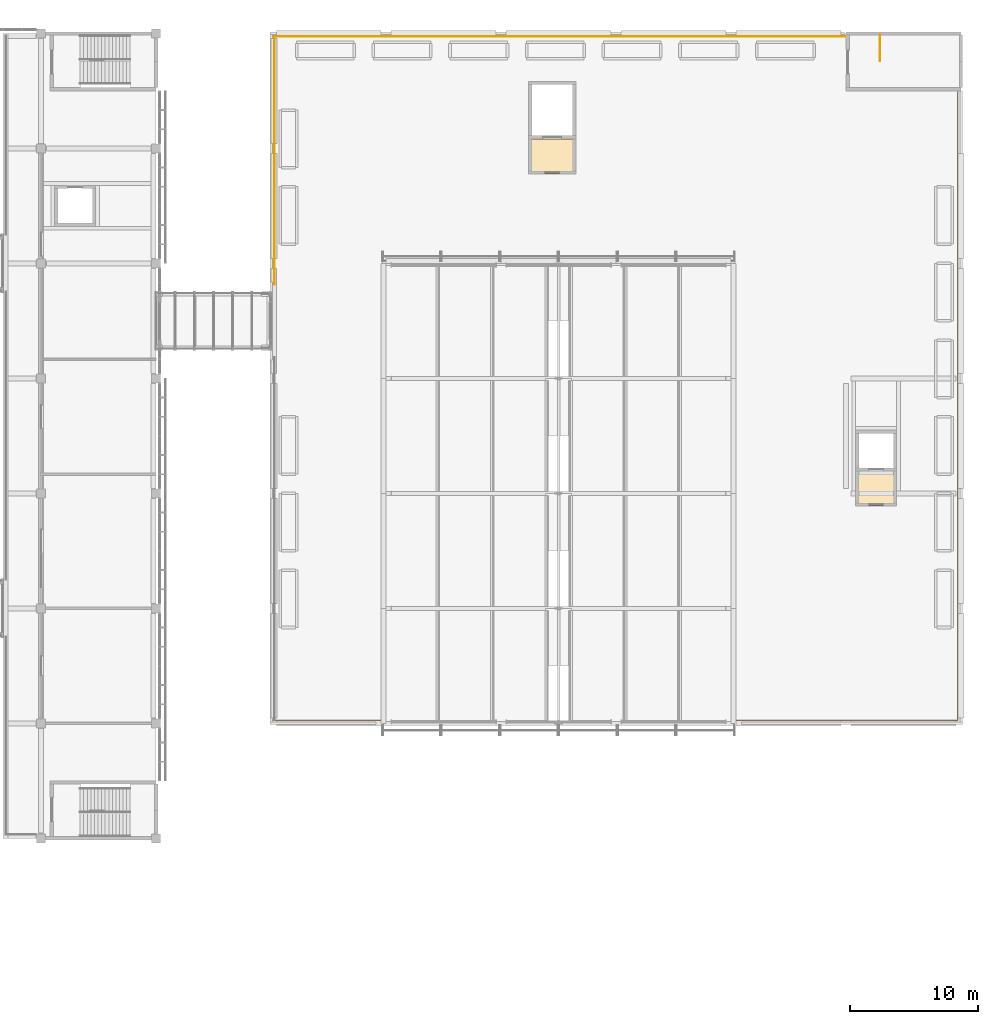
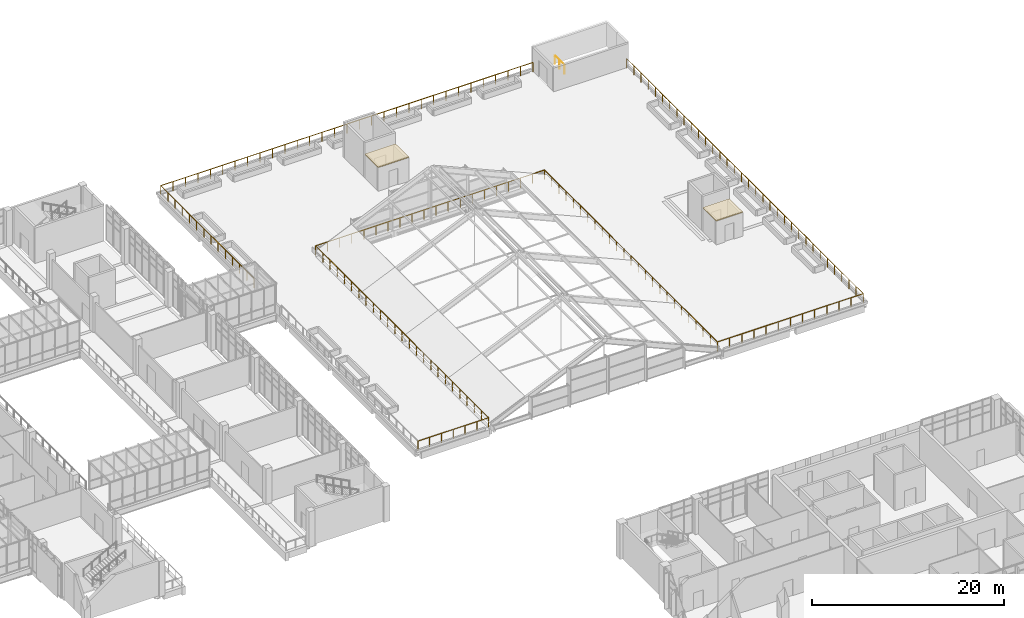
# One storey, part 104 of 106: 3 railings, 2 coverings.
"""IFC4 building model written with IfcOpenShell, lengths in metres."""

from ifc_helpers import new_model, si_unit, direction, frame, origin, origin_2d, place, context, subcontext, project, spatial, rectangle, circle, extrude, material, layer, layer_set, type_object, element, save


model = new_model("IFC4")

# Units and contexts
model_context = context("Model", 3, precision=1e-05, world=origin(), true_north=direction((0.0, 1.0)))
body_context = subcontext(model_context, "Body", "Model", "MODEL_VIEW")
ifc_project = project(units=[si_unit("LENGTHUNIT", "METRE"), si_unit("AREAUNIT", "SQUARE_METRE"), si_unit("VOLUMEUNIT", "CUBIC_METRE"), si_unit("PLANEANGLEUNIT", "RADIAN"), si_unit("MASSUNIT", "GRAM", prefix="KILO")], contexts=[model_context])

# Site, building, storey
site_placement = place(None, origin())
site = spatial("IfcSite", under=ifc_project, at=site_placement, CompositionType="ELEMENT")
building_placement = place(site_placement, origin())
building = spatial("IfcBuilding", under=site, at=building_placement, Name="Guidao Yard Department Store", CompositionType="ELEMENT")
storey_placement = place(building_placement, frame((0.0, 0.0, 10.5)))
storey = spatial("IfcBuildingStorey", under=building, at=storey_placement, Name="L02", CompositionType="ELEMENT", Elevation=10.5)

# Railings
ifc_material_1 = material(Name="Steel Q235", Category="steel")
railing_type_1 = type_object("IfcRailingType", Name="Guard steel balustrade 1100", PredefinedType="GUARDRAIL", material=ifc_material_1)
railing_1_placement = place(storey_placement, frame((164.64990234375, 105.824951171875, 0.0)))
element("IfcRailing", 1, at=railing_1_placement, inside=storey, type_object=railing_type_1, Name="Stair F2 guard L02 9", PredefinedType="GUARDRAIL", context=body_context, shape_type="SweptSolid", body=[
    extrude(circle(Radius=0.02392578125, at=origin_2d()), frame((0.0, 0.0, 1.076171875), z_axis=(0.0, 1.0, 0.0), x_axis=(-1.0, 0.0, 0.0)), (0.0, 0.0, 1.0), 2.050048828125),
    extrude(circle(Radius=0.02099609375, at=origin_2d()), origin(), (0.0, 0.0, 1.0), 1.052001953125),
    extrude(circle(Radius=0.02099609375, at=origin_2d()), frame((0.0, 1.02490234375, 0.0)), (0.0, 0.0, 1.0), 1.052001953125),
    extrude(circle(Radius=0.02099609375, at=origin_2d()), frame((0.0, 2.050048828125, 0.0)), (0.0, 0.0, 1.0), 1.052001953125),
])
ifc_material_2 = material(Name="Steel Q235", Category="steel")
railing_type_2 = type_object("IfcRailingType", Name="Guard steel balustrade 1200", PredefinedType="GUARDRAIL", material=ifc_material_2)
railing_2_placement = place(storey_placement, frame((117.25, 88.35009765625, 0.0)))
element("IfcRailing", 2, at=railing_2_placement, inside=storey, type_object=railing_type_2, Name="Guard garden ROOF-F 1 L02", PredefinedType="GUARDRAIL", context=body_context, shape_type="SweptSolid", body=[
    extrude(circle(Radius=0.02392578125, at=origin_2d()), frame((0.0, 0.0, 1.17578125), z_axis=(0.0, 1.0, 0.0), x_axis=(-1.0, 0.0, 0.0)), (0.0, 0.0, 1.0), 19.39990234375),
    extrude(circle(Radius=0.02392578125, at=origin_2d()), frame((0.0, 19.39990234375, 1.17578125), z_axis=(1.0, 0.0, 0.0), x_axis=(0.0, 1.0, 0.0)), (0.0, 0.0, 1.0), 44.699951171875),
    extrude(circle(Radius=0.02099609375, at=origin_2d()), origin(), (0.0, 0.0, 1.0), 1.15185546875),
    extrude(circle(Radius=0.02099609375, at=origin_2d()), frame((0.0, 1.4921875, 0.0)), (0.0, 0.0, 1.0), 1.15185546875),
    extrude(circle(Radius=0.02099609375, at=origin_2d()), frame((0.0, 2.984619140625, 0.0)), (0.0, 0.0, 1.0), 1.15185546875),
    extrude(circle(Radius=0.02099609375, at=origin_2d()), frame((0.0, 4.476806640625, 0.0)), (0.0, 0.0, 1.0), 1.15185546875),
    extrude(circle(Radius=0.02099609375, at=origin_2d()), frame((0.0, 5.96923828125, 0.0)), (0.0, 0.0, 1.0), 1.15185546875),
    extrude(circle(Radius=0.02099609375, at=origin_2d()), frame((0.0, 7.46142578125, 0.0)), (0.0, 0.0, 1.0), 1.15185546875),
    extrude(circle(Radius=0.02099609375, at=origin_2d()), frame((0.0, 8.953857421875, 0.0)), (0.0, 0.0, 1.0), 1.15185546875),
    extrude(circle(Radius=0.02099609375, at=origin_2d()), frame((0.0, 10.446044921875, 0.0)), (0.0, 0.0, 1.0), 1.15185546875),
    extrude(circle(Radius=0.02099609375, at=origin_2d()), frame((0.0, 11.9384765625, 0.0)), (0.0, 0.0, 1.0), 1.15185546875),
    extrude(circle(Radius=0.02099609375, at=origin_2d()), frame((0.0, 13.4306640625, 0.0)), (0.0, 0.0, 1.0), 1.15185546875),
    extrude(circle(Radius=0.02099609375, at=origin_2d()), frame((0.0, 14.923095703125, 0.0)), (0.0, 0.0, 1.0), 1.15185546875),
    extrude(circle(Radius=0.02099609375, at=origin_2d()), frame((0.0, 16.415283203125, 0.0)), (0.0, 0.0, 1.0), 1.15185546875),
    extrude(circle(Radius=0.02099609375, at=origin_2d()), frame((0.0, 17.90771484375, 0.0)), (0.0, 0.0, 1.0), 1.15185546875),
    extrude(circle(Radius=0.02099609375, at=origin_2d()), frame((0.0, 19.39990234375, 0.0)), (0.0, 0.0, 1.0), 1.15185546875),
    extrude(circle(Radius=0.02099609375, at=origin_2d()), frame((1.489990234375, 19.39990234375, 0.0)), (0.0, 0.0, 1.0), 1.15185546875),
    extrude(circle(Radius=0.02099609375, at=origin_2d()), frame((2.97998046875, 19.39990234375, 0.0)), (0.0, 0.0, 1.0), 1.15185546875),
    extrude(circle(Radius=0.02099609375, at=origin_2d()), frame((4.469970703125, 19.39990234375, 0.0)), (0.0, 0.0, 1.0), 1.15185546875),
    extrude(circle(Radius=0.02099609375, at=origin_2d()), frame((5.9599609375, 19.39990234375, 0.0)), (0.0, 0.0, 1.0), 1.15185546875),
    extrude(circle(Radius=0.02099609375, at=origin_2d()), frame((7.449951171875, 19.39990234375, 0.0)), (0.0, 0.0, 1.0), 1.15185546875),
    extrude(circle(Radius=0.02099609375, at=origin_2d()), frame((8.93994140625, 19.39990234375, 0.0)), (0.0, 0.0, 1.0), 1.15185546875),
    extrude(circle(Radius=0.02099609375, at=origin_2d()), frame((10.429931640625, 19.39990234375, 0.0)), (0.0, 0.0, 1.0), 1.15185546875),
    extrude(circle(Radius=0.02099609375, at=origin_2d()), frame((11.919921875, 19.39990234375, 0.0)), (0.0, 0.0, 1.0), 1.15185546875),
    extrude(circle(Radius=0.02099609375, at=origin_2d()), frame((13.409912109375, 19.39990234375, 0.0)), (0.0, 0.0, 1.0), 1.15185546875),
    extrude(circle(Radius=0.02099609375, at=origin_2d()), frame((14.89990234375, 19.39990234375, 0.0)), (0.0, 0.0, 1.0), 1.15185546875),
    extrude(circle(Radius=0.02099609375, at=origin_2d()), frame((16.389892578125, 19.39990234375, 0.0)), (0.0, 0.0, 1.0), 1.15185546875),
    extrude(circle(Radius=0.02099609375, at=origin_2d()), frame((17.8798828125, 19.39990234375, 0.0)), (0.0, 0.0, 1.0), 1.15185546875),
    extrude(circle(Radius=0.02099609375, at=origin_2d()), frame((19.369873046875, 19.39990234375, 0.0)), (0.0, 0.0, 1.0), 1.15185546875),
    extrude(circle(Radius=0.02099609375, at=origin_2d()), frame((20.85986328125, 19.39990234375, 0.0)), (0.0, 0.0, 1.0), 1.15185546875),
    extrude(circle(Radius=0.02099609375, at=origin_2d()), frame((22.35009765625, 19.39990234375, 0.0)), (0.0, 0.0, 1.0), 1.15185546875),
    extrude(circle(Radius=0.02099609375, at=origin_2d()), frame((23.840087890625, 19.39990234375, 0.0)), (0.0, 0.0, 1.0), 1.15185546875),
    extrude(circle(Radius=0.02099609375, at=origin_2d()), frame((25.330078125, 19.39990234375, 0.0)), (0.0, 0.0, 1.0), 1.15185546875),
    extrude(circle(Radius=0.02099609375, at=origin_2d()), frame((26.820068359375, 19.39990234375, 0.0)), (0.0, 0.0, 1.0), 1.15185546875),
    extrude(circle(Radius=0.02099609375, at=origin_2d()), frame((28.31005859375, 19.39990234375, 0.0)), (0.0, 0.0, 1.0), 1.15185546875),
    extrude(circle(Radius=0.02099609375, at=origin_2d()), frame((29.800048828125, 19.39990234375, 0.0)), (0.0, 0.0, 1.0), 1.15185546875),
    extrude(circle(Radius=0.02099609375, at=origin_2d()), frame((31.2900390625, 19.39990234375, 0.0)), (0.0, 0.0, 1.0), 1.15185546875),
    extrude(circle(Radius=0.02099609375, at=origin_2d()), frame((32.780029296875, 19.39990234375, 0.0)), (0.0, 0.0, 1.0), 1.15185546875),
    extrude(circle(Radius=0.02099609375, at=origin_2d()), frame((34.27001953125, 19.39990234375, 0.0)), (0.0, 0.0, 1.0), 1.15185546875),
    extrude(circle(Radius=0.02099609375, at=origin_2d()), frame((35.760009765625, 19.39990234375, 0.0)), (0.0, 0.0, 1.0), 1.15185546875),
    extrude(circle(Radius=0.02099609375, at=origin_2d()), frame((37.25, 19.39990234375, 0.0)), (0.0, 0.0, 1.0), 1.15185546875),
    extrude(circle(Radius=0.02099609375, at=origin_2d()), frame((38.739990234375, 19.39990234375, 0.0)), (0.0, 0.0, 1.0), 1.15185546875),
    extrude(circle(Radius=0.02099609375, at=origin_2d()), frame((40.22998046875, 19.39990234375, 0.0)), (0.0, 0.0, 1.0), 1.15185546875),
    extrude(circle(Radius=0.02099609375, at=origin_2d()), frame((41.719970703125, 19.39990234375, 0.0)), (0.0, 0.0, 1.0), 1.15185546875),
    extrude(circle(Radius=0.02099609375, at=origin_2d()), frame((43.2099609375, 19.39990234375, 0.0)), (0.0, 0.0, 1.0), 1.15185546875),
    extrude(circle(Radius=0.02099609375, at=origin_2d()), frame((44.699951171875, 19.39990234375, 0.0)), (0.0, 0.0, 1.0), 1.15185546875),
])
railing_3_placement = place(storey_placement, frame((170.75, 103.449951171875, 0.0)))
element("IfcRailing", 3, at=railing_3_placement, inside=storey, type_object=railing_type_2, Name="Guard garden ROOF-F 1 L02", PredefinedType="GUARDRAIL", context=body_context, shape_type="SweptSolid", body=[
    extrude(circle(Radius=0.02392578125, at=origin_2d()), frame((0.0, 0.0, 1.17578125), z_axis=(0.0, -1.0, 0.0), x_axis=(1.0, 0.0, 0.0)), (0.0, 0.0, 1.0), 49.199951171875),
    extrude(circle(Radius=0.02392578125, at=origin_2d()), frame((0.0, -49.199951171875, 1.17578125), z_axis=(-1.0, 0.0, 0.0), x_axis=(0.0, -1.0, 0.0)), (0.0, 0.0, 1.0), 17.5),
    extrude(circle(Radius=0.02392578125, at=origin_2d()), frame((-17.5, -49.199951171875, 1.17578125), z_axis=(0.0, 1.0, 0.0), x_axis=(-1.0, 0.0, 0.0)), (0.0, 0.0, 1.0), 36.0),
    extrude(circle(Radius=0.02392578125, at=origin_2d()), frame((-17.5, -13.199951171875, 1.17578125), z_axis=(-1.0, 0.0, 0.0), x_axis=(0.0, -1.0, 0.0)), (0.0, 0.0, 1.0), 27.5),
    extrude(circle(Radius=0.02392578125, at=origin_2d()), frame((-45.0, -13.199951171875, 1.17578125), z_axis=(0.0, -1.0, 0.0), x_axis=(1.0, 0.0, 0.0)), (0.0, 0.0, 1.0), 36.0),
    extrude(circle(Radius=0.02392578125, at=origin_2d()), frame((-45.0, -49.199951171875, 1.17578125), z_axis=(-1.0, 0.0, 0.0), x_axis=(0.0, -1.0, 0.0)), (0.0, 0.0, 1.0), 8.5),
    extrude(circle(Radius=0.02099609375, at=origin_2d()), origin(), (0.0, 0.0, 1.0), 1.15185546875),
    extrude(circle(Radius=0.02099609375, at=origin_2d()), frame((0.0, -1.490966796875, 0.0)), (0.0, 0.0, 1.0), 1.15185546875),
    extrude(circle(Radius=0.02099609375, at=origin_2d()), frame((0.0, -2.98193359375, 0.0)), (0.0, 0.0, 1.0), 1.15185546875),
    extrude(circle(Radius=0.02099609375, at=origin_2d()), frame((0.0, -4.47265625, 0.0)), (0.0, 0.0, 1.0), 1.15185546875),
    extrude(circle(Radius=0.02099609375, at=origin_2d()), frame((0.0, -5.963623046875, 0.0)), (0.0, 0.0, 1.0), 1.15185546875),
    extrude(circle(Radius=0.02099609375, at=origin_2d()), frame((0.0, -7.45458984375, 0.0)), (0.0, 0.0, 1.0), 1.15185546875),
    extrude(circle(Radius=0.02099609375, at=origin_2d()), frame((0.0, -8.945556640625, 0.0)), (0.0, 0.0, 1.0), 1.15185546875),
    extrude(circle(Radius=0.02099609375, at=origin_2d()), frame((0.0, -10.436279296875, 0.0)), (0.0, 0.0, 1.0), 1.15185546875),
    extrude(circle(Radius=0.02099609375, at=origin_2d()), frame((0.0, -11.92724609375, 0.0)), (0.0, 0.0, 1.0), 1.15185546875),
    extrude(circle(Radius=0.02099609375, at=origin_2d()), frame((0.0, -13.418212890625, 0.0)), (0.0, 0.0, 1.0), 1.15185546875),
    extrude(circle(Radius=0.02099609375, at=origin_2d()), frame((0.0, -14.9091796875, 0.0)), (0.0, 0.0, 1.0), 1.15185546875),
    extrude(circle(Radius=0.02099609375, at=origin_2d()), frame((0.0, -16.39990234375, 0.0)), (0.0, 0.0, 1.0), 1.15185546875),
    extrude(circle(Radius=0.02099609375, at=origin_2d()), frame((0.0, -17.890869140625, 0.0)), (0.0, 0.0, 1.0), 1.15185546875),
    extrude(circle(Radius=0.02099609375, at=origin_2d()), frame((0.0, -19.3818359375, 0.0)), (0.0, 0.0, 1.0), 1.15185546875),
    extrude(circle(Radius=0.02099609375, at=origin_2d()), frame((0.0, -20.872802734375, 0.0)), (0.0, 0.0, 1.0), 1.15185546875),
    extrude(circle(Radius=0.02099609375, at=origin_2d()), frame((0.0, -22.363525390625, 0.0)), (0.0, 0.0, 1.0), 1.15185546875),
    extrude(circle(Radius=0.02099609375, at=origin_2d()), frame((0.0, -23.8544921875, 0.0)), (0.0, 0.0, 1.0), 1.15185546875),
    extrude(circle(Radius=0.02099609375, at=origin_2d()), frame((0.0, -25.345458984375, 0.0)), (0.0, 0.0, 1.0), 1.15185546875),
    extrude(circle(Radius=0.02099609375, at=origin_2d()), frame((0.0, -26.83642578125, 0.0)), (0.0, 0.0, 1.0), 1.15185546875),
    extrude(circle(Radius=0.02099609375, at=origin_2d()), frame((0.0, -28.3271484375, 0.0)), (0.0, 0.0, 1.0), 1.15185546875),
    extrude(circle(Radius=0.02099609375, at=origin_2d()), frame((0.0, -29.818115234375, 0.0)), (0.0, 0.0, 1.0), 1.15185546875),
    extrude(circle(Radius=0.02099609375, at=origin_2d()), frame((0.0, -31.30908203125, 0.0)), (0.0, 0.0, 1.0), 1.15185546875),
    extrude(circle(Radius=0.02099609375, at=origin_2d()), frame((0.0, -32.800048828125, 0.0)), (0.0, 0.0, 1.0), 1.15185546875),
    extrude(circle(Radius=0.02099609375, at=origin_2d()), frame((0.0, -34.290771484375, 0.0)), (0.0, 0.0, 1.0), 1.15185546875),
    extrude(circle(Radius=0.02099609375, at=origin_2d()), frame((0.0, -35.78173828125, 0.0)), (0.0, 0.0, 1.0), 1.15185546875),
    extrude(circle(Radius=0.02099609375, at=origin_2d()), frame((0.0, -37.272705078125, 0.0)), (0.0, 0.0, 1.0), 1.15185546875),
    extrude(circle(Radius=0.02099609375, at=origin_2d()), frame((0.0, -38.763671875, 0.0)), (0.0, 0.0, 1.0), 1.15185546875),
    extrude(circle(Radius=0.02099609375, at=origin_2d()), frame((0.0, -40.25439453125, 0.0)), (0.0, 0.0, 1.0), 1.15185546875),
    extrude(circle(Radius=0.02099609375, at=origin_2d()), frame((0.0, -41.745361328125, 0.0)), (0.0, 0.0, 1.0), 1.15185546875),
    extrude(circle(Radius=0.02099609375, at=origin_2d()), frame((0.0, -43.236328125, 0.0)), (0.0, 0.0, 1.0), 1.15185546875),
    extrude(circle(Radius=0.02099609375, at=origin_2d()), frame((0.0, -44.727294921875, 0.0)), (0.0, 0.0, 1.0), 1.15185546875),
    extrude(circle(Radius=0.02099609375, at=origin_2d()), frame((0.0, -46.218017578125, 0.0)), (0.0, 0.0, 1.0), 1.15185546875),
    extrude(circle(Radius=0.02099609375, at=origin_2d()), frame((0.0, -47.708984375, 0.0)), (0.0, 0.0, 1.0), 1.15185546875),
    extrude(circle(Radius=0.02099609375, at=origin_2d()), frame((0.0, -49.199951171875, 0.0)), (0.0, 0.0, 1.0), 1.15185546875),
    extrude(circle(Radius=0.02099609375, at=origin_2d()), frame((-1.458251953125, -49.199951171875, 0.0)), (0.0, 0.0, 1.0), 1.15185546875),
    extrude(circle(Radius=0.02099609375, at=origin_2d()), frame((-2.916748046875, -49.199951171875, 0.0)), (0.0, 0.0, 1.0), 1.15185546875),
    extrude(circle(Radius=0.02099609375, at=origin_2d()), frame((-4.375, -49.199951171875, 0.0)), (0.0, 0.0, 1.0), 1.15185546875),
    extrude(circle(Radius=0.02099609375, at=origin_2d()), frame((-5.833251953125, -49.199951171875, 0.0)), (0.0, 0.0, 1.0), 1.15185546875),
    extrude(circle(Radius=0.02099609375, at=origin_2d()), frame((-7.291748046875, -49.199951171875, 0.0)), (0.0, 0.0, 1.0), 1.15185546875),
    extrude(circle(Radius=0.02099609375, at=origin_2d()), frame((-8.75, -49.199951171875, 0.0)), (0.0, 0.0, 1.0), 1.15185546875),
    extrude(circle(Radius=0.02099609375, at=origin_2d()), frame((-10.208251953125, -49.199951171875, 0.0)), (0.0, 0.0, 1.0), 1.15185546875),
    extrude(circle(Radius=0.02099609375, at=origin_2d()), frame((-11.666748046875, -49.199951171875, 0.0)), (0.0, 0.0, 1.0), 1.15185546875),
    extrude(circle(Radius=0.02099609375, at=origin_2d()), frame((-13.125, -49.199951171875, 0.0)), (0.0, 0.0, 1.0), 1.15185546875),
    extrude(circle(Radius=0.02099609375, at=origin_2d()), frame((-14.583251953125, -49.199951171875, 0.0)), (0.0, 0.0, 1.0), 1.15185546875),
    extrude(circle(Radius=0.02099609375, at=origin_2d()), frame((-16.041748046875, -49.199951171875, 0.0)), (0.0, 0.0, 1.0), 1.15185546875),
    extrude(circle(Radius=0.02099609375, at=origin_2d()), frame((-17.5, -49.199951171875, 0.0)), (0.0, 0.0, 1.0), 1.15185546875),
    extrude(circle(Radius=0.02099609375, at=origin_2d()), frame((-17.5, -47.699951171875, 0.0)), (0.0, 0.0, 1.0), 1.15185546875),
    extrude(circle(Radius=0.02099609375, at=origin_2d()), frame((-17.5, -46.199951171875, 0.0)), (0.0, 0.0, 1.0), 1.15185546875),
    extrude(circle(Radius=0.02099609375, at=origin_2d()), frame((-17.5, -44.699951171875, 0.0)), (0.0, 0.0, 1.0), 1.15185546875),
    extrude(circle(Radius=0.02099609375, at=origin_2d()), frame((-17.5, -43.199951171875, 0.0)), (0.0, 0.0, 1.0), 1.15185546875),
    extrude(circle(Radius=0.02099609375, at=origin_2d()), frame((-17.5, -41.699951171875, 0.0)), (0.0, 0.0, 1.0), 1.15185546875),
    extrude(circle(Radius=0.02099609375, at=origin_2d()), frame((-17.5, -40.199951171875, 0.0)), (0.0, 0.0, 1.0), 1.15185546875),
    extrude(circle(Radius=0.02099609375, at=origin_2d()), frame((-17.5, -38.699951171875, 0.0)), (0.0, 0.0, 1.0), 1.15185546875),
    extrude(circle(Radius=0.02099609375, at=origin_2d()), frame((-17.5, -37.199951171875, 0.0)), (0.0, 0.0, 1.0), 1.15185546875),
    extrude(circle(Radius=0.02099609375, at=origin_2d()), frame((-17.5, -35.699951171875, 0.0)), (0.0, 0.0, 1.0), 1.15185546875),
    extrude(circle(Radius=0.02099609375, at=origin_2d()), frame((-17.5, -34.199951171875, 0.0)), (0.0, 0.0, 1.0), 1.15185546875),
    extrude(circle(Radius=0.02099609375, at=origin_2d()), frame((-17.5, -32.699951171875, 0.0)), (0.0, 0.0, 1.0), 1.15185546875),
    extrude(circle(Radius=0.02099609375, at=origin_2d()), frame((-17.5, -31.199951171875, 0.0)), (0.0, 0.0, 1.0), 1.15185546875),
    extrude(circle(Radius=0.02099609375, at=origin_2d()), frame((-17.5, -29.699951171875, 0.0)), (0.0, 0.0, 1.0), 1.15185546875),
    extrude(circle(Radius=0.02099609375, at=origin_2d()), frame((-17.5, -28.199951171875, 0.0)), (0.0, 0.0, 1.0), 1.15185546875),
    extrude(circle(Radius=0.02099609375, at=origin_2d()), frame((-17.5, -26.699951171875, 0.0)), (0.0, 0.0, 1.0), 1.15185546875),
    extrude(circle(Radius=0.02099609375, at=origin_2d()), frame((-17.5, -25.199951171875, 0.0)), (0.0, 0.0, 1.0), 1.15185546875),
    extrude(circle(Radius=0.02099609375, at=origin_2d()), frame((-17.5, -23.699951171875, 0.0)), (0.0, 0.0, 1.0), 1.15185546875),
    extrude(circle(Radius=0.02099609375, at=origin_2d()), frame((-17.5, -22.199951171875, 0.0)), (0.0, 0.0, 1.0), 1.15185546875),
    extrude(circle(Radius=0.02099609375, at=origin_2d()), frame((-17.5, -20.699951171875, 0.0)), (0.0, 0.0, 1.0), 1.15185546875),
    extrude(circle(Radius=0.02099609375, at=origin_2d()), frame((-17.5, -19.199951171875, 0.0)), (0.0, 0.0, 1.0), 1.15185546875),
    extrude(circle(Radius=0.02099609375, at=origin_2d()), frame((-17.5, -17.699951171875, 0.0)), (0.0, 0.0, 1.0), 1.15185546875),
    extrude(circle(Radius=0.02099609375, at=origin_2d()), frame((-17.5, -16.199951171875, 0.0)), (0.0, 0.0, 1.0), 1.15185546875),
    extrude(circle(Radius=0.02099609375, at=origin_2d()), frame((-17.5, -14.699951171875, 0.0)), (0.0, 0.0, 1.0), 1.15185546875),
    extrude(circle(Radius=0.02099609375, at=origin_2d()), frame((-17.5, -13.199951171875, 0.0)), (0.0, 0.0, 1.0), 1.15185546875),
    extrude(circle(Radius=0.02099609375, at=origin_2d()), frame((-18.947265625, -13.199951171875, 0.0)), (0.0, 0.0, 1.0), 1.15185546875),
    extrude(circle(Radius=0.02099609375, at=origin_2d()), frame((-20.394775390625, -13.199951171875, 0.0)), (0.0, 0.0, 1.0), 1.15185546875),
    extrude(circle(Radius=0.02099609375, at=origin_2d()), frame((-21.842041015625, -13.199951171875, 0.0)), (0.0, 0.0, 1.0), 1.15185546875),
    extrude(circle(Radius=0.02099609375, at=origin_2d()), frame((-23.28955078125, -13.199951171875, 0.0)), (0.0, 0.0, 1.0), 1.15185546875),
    extrude(circle(Radius=0.02099609375, at=origin_2d()), frame((-24.73681640625, -13.199951171875, 0.0)), (0.0, 0.0, 1.0), 1.15185546875),
    extrude(circle(Radius=0.02099609375, at=origin_2d()), frame((-26.184326171875, -13.199951171875, 0.0)), (0.0, 0.0, 1.0), 1.15185546875),
    extrude(circle(Radius=0.02099609375, at=origin_2d()), frame((-27.631591796875, -13.199951171875, 0.0)), (0.0, 0.0, 1.0), 1.15185546875),
    extrude(circle(Radius=0.02099609375, at=origin_2d()), frame((-29.078857421875, -13.199951171875, 0.0)), (0.0, 0.0, 1.0), 1.15185546875),
    extrude(circle(Radius=0.02099609375, at=origin_2d()), frame((-30.5263671875, -13.199951171875, 0.0)), (0.0, 0.0, 1.0), 1.15185546875),
    extrude(circle(Radius=0.02099609375, at=origin_2d()), frame((-31.9736328125, -13.199951171875, 0.0)), (0.0, 0.0, 1.0), 1.15185546875),
    extrude(circle(Radius=0.02099609375, at=origin_2d()), frame((-33.421142578125, -13.199951171875, 0.0)), (0.0, 0.0, 1.0), 1.15185546875),
    extrude(circle(Radius=0.02099609375, at=origin_2d()), frame((-34.868408203125, -13.199951171875, 0.0)), (0.0, 0.0, 1.0), 1.15185546875),
    extrude(circle(Radius=0.02099609375, at=origin_2d()), frame((-36.315673828125, -13.199951171875, 0.0)), (0.0, 0.0, 1.0), 1.15185546875),
    extrude(circle(Radius=0.02099609375, at=origin_2d()), frame((-37.76318359375, -13.199951171875, 0.0)), (0.0, 0.0, 1.0), 1.15185546875),
    extrude(circle(Radius=0.02099609375, at=origin_2d()), frame((-39.21044921875, -13.199951171875, 0.0)), (0.0, 0.0, 1.0), 1.15185546875),
    extrude(circle(Radius=0.02099609375, at=origin_2d()), frame((-40.657958984375, -13.199951171875, 0.0)), (0.0, 0.0, 1.0), 1.15185546875),
    extrude(circle(Radius=0.02099609375, at=origin_2d()), frame((-42.105224609375, -13.199951171875, 0.0)), (0.0, 0.0, 1.0), 1.15185546875),
    extrude(circle(Radius=0.02099609375, at=origin_2d()), frame((-43.552734375, -13.199951171875, 0.0)), (0.0, 0.0, 1.0), 1.15185546875),
    extrude(circle(Radius=0.02099609375, at=origin_2d()), frame((-45.0, -13.199951171875, 0.0)), (0.0, 0.0, 1.0), 1.15185546875),
    extrude(circle(Radius=0.02099609375, at=origin_2d()), frame((-45.0, -14.699951171875, 0.0)), (0.0, 0.0, 1.0), 1.15185546875),
    extrude(circle(Radius=0.02099609375, at=origin_2d()), frame((-45.0, -16.199951171875, 0.0)), (0.0, 0.0, 1.0), 1.15185546875),
    extrude(circle(Radius=0.02099609375, at=origin_2d()), frame((-45.0, -17.699951171875, 0.0)), (0.0, 0.0, 1.0), 1.15185546875),
    extrude(circle(Radius=0.02099609375, at=origin_2d()), frame((-45.0, -19.199951171875, 0.0)), (0.0, 0.0, 1.0), 1.15185546875),
    extrude(circle(Radius=0.02099609375, at=origin_2d()), frame((-45.0, -20.699951171875, 0.0)), (0.0, 0.0, 1.0), 1.15185546875),
    extrude(circle(Radius=0.02099609375, at=origin_2d()), frame((-45.0, -22.199951171875, 0.0)), (0.0, 0.0, 1.0), 1.15185546875),
    extrude(circle(Radius=0.02099609375, at=origin_2d()), frame((-45.0, -23.699951171875, 0.0)), (0.0, 0.0, 1.0), 1.15185546875),
    extrude(circle(Radius=0.02099609375, at=origin_2d()), frame((-45.0, -25.199951171875, 0.0)), (0.0, 0.0, 1.0), 1.15185546875),
    extrude(circle(Radius=0.02099609375, at=origin_2d()), frame((-45.0, -26.699951171875, 0.0)), (0.0, 0.0, 1.0), 1.15185546875),
    extrude(circle(Radius=0.02099609375, at=origin_2d()), frame((-45.0, -28.199951171875, 0.0)), (0.0, 0.0, 1.0), 1.15185546875),
    extrude(circle(Radius=0.02099609375, at=origin_2d()), frame((-45.0, -29.699951171875, 0.0)), (0.0, 0.0, 1.0), 1.15185546875),
    extrude(circle(Radius=0.02099609375, at=origin_2d()), frame((-45.0, -31.199951171875, 0.0)), (0.0, 0.0, 1.0), 1.15185546875),
    extrude(circle(Radius=0.02099609375, at=origin_2d()), frame((-45.0, -32.699951171875, 0.0)), (0.0, 0.0, 1.0), 1.15185546875),
    extrude(circle(Radius=0.02099609375, at=origin_2d()), frame((-45.0, -34.199951171875, 0.0)), (0.0, 0.0, 1.0), 1.15185546875),
    extrude(circle(Radius=0.02099609375, at=origin_2d()), frame((-45.0, -35.699951171875, 0.0)), (0.0, 0.0, 1.0), 1.15185546875),
    extrude(circle(Radius=0.02099609375, at=origin_2d()), frame((-45.0, -37.199951171875, 0.0)), (0.0, 0.0, 1.0), 1.15185546875),
    extrude(circle(Radius=0.02099609375, at=origin_2d()), frame((-45.0, -38.699951171875, 0.0)), (0.0, 0.0, 1.0), 1.15185546875),
    extrude(circle(Radius=0.02099609375, at=origin_2d()), frame((-45.0, -40.199951171875, 0.0)), (0.0, 0.0, 1.0), 1.15185546875),
    extrude(circle(Radius=0.02099609375, at=origin_2d()), frame((-45.0, -41.699951171875, 0.0)), (0.0, 0.0, 1.0), 1.15185546875),
    extrude(circle(Radius=0.02099609375, at=origin_2d()), frame((-45.0, -43.199951171875, 0.0)), (0.0, 0.0, 1.0), 1.15185546875),
    extrude(circle(Radius=0.02099609375, at=origin_2d()), frame((-45.0, -44.699951171875, 0.0)), (0.0, 0.0, 1.0), 1.15185546875),
    extrude(circle(Radius=0.02099609375, at=origin_2d()), frame((-45.0, -46.199951171875, 0.0)), (0.0, 0.0, 1.0), 1.15185546875),
    extrude(circle(Radius=0.02099609375, at=origin_2d()), frame((-45.0, -47.699951171875, 0.0)), (0.0, 0.0, 1.0), 1.15185546875),
    extrude(circle(Radius=0.02099609375, at=origin_2d()), frame((-45.0, -49.199951171875, 0.0)), (0.0, 0.0, 1.0), 1.15185546875),
    extrude(circle(Radius=0.02099609375, at=origin_2d()), frame((-46.416748046875, -49.199951171875, 0.0)), (0.0, 0.0, 1.0), 1.15185546875),
    extrude(circle(Radius=0.02099609375, at=origin_2d()), frame((-47.833251953125, -49.199951171875, 0.0)), (0.0, 0.0, 1.0), 1.15185546875),
    extrude(circle(Radius=0.02099609375, at=origin_2d()), frame((-49.25, -49.199951171875, 0.0)), (0.0, 0.0, 1.0), 1.15185546875),
    extrude(circle(Radius=0.02099609375, at=origin_2d()), frame((-50.666748046875, -49.199951171875, 0.0)), (0.0, 0.0, 1.0), 1.15185546875),
    extrude(circle(Radius=0.02099609375, at=origin_2d()), frame((-52.083251953125, -49.199951171875, 0.0)), (0.0, 0.0, 1.0), 1.15185546875),
    extrude(circle(Radius=0.02099609375, at=origin_2d()), frame((-53.5, -49.199951171875, 0.0)), (0.0, 0.0, 1.0), 1.15185546875),
])

# Coverings
ifc_material_3 = material(Name="Steel Q235", Category="steel")
ifc_layer = layer(ifc_material_3, 0.10009765625)
ifc_layer_set = layer_set([ifc_layer], Name="Lobby roofing panel insulated metal deck 100")
covering_type = type_object("IfcCoveringType", Name="Lobby roofing panel insulated metal deck 100", PredefinedType="ROOFING", material=ifc_layer_set)
covering_1_placement = place(storey_placement, frame((139.0, 98.375, 3.0), z_axis=(0.0, 0.0, 1.0), x_axis=(1.0, 0.0, 0.0)))
element("IfcCovering", 4, at=covering_1_placement, inside=storey, type_object=covering_type, Name="Roof lift lobby roofing FG1", PredefinedType="ROOFING", context=body_context, shape_type="SweptSolid", body=[
    extrude(rectangle(XDim=3.699951171875, YDim=2.75, at=origin_2d()), origin(), (0.0, 0.0, 1.0), 0.10009765625),
])
covering_2_placement = place(storey_placement, frame((164.35009765625, 72.375, 3.0), z_axis=(0.0, 0.0, 1.0), x_axis=(1.0, 0.0, 0.0)))
element("IfcCovering", 5, at=covering_2_placement, inside=storey, type_object=covering_type, Name="Roof lift lobby roofing FL1", PredefinedType="ROOFING", context=body_context, shape_type="SweptSolid", body=[
    extrude(rectangle(XDim=3.199951171875, YDim=2.75, at=origin_2d()), origin(), (0.0, 0.0, 1.0), 0.10009765625),
])

save(model, "model.ifc")
